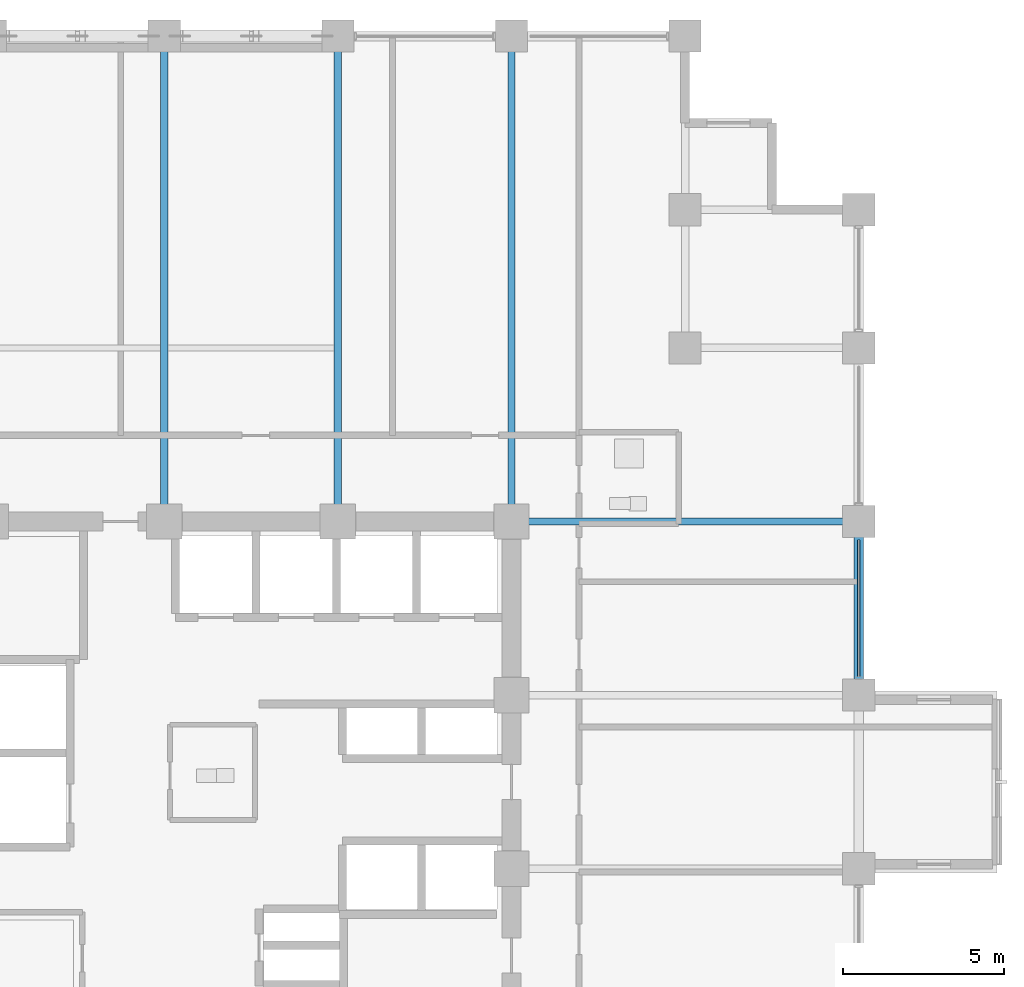
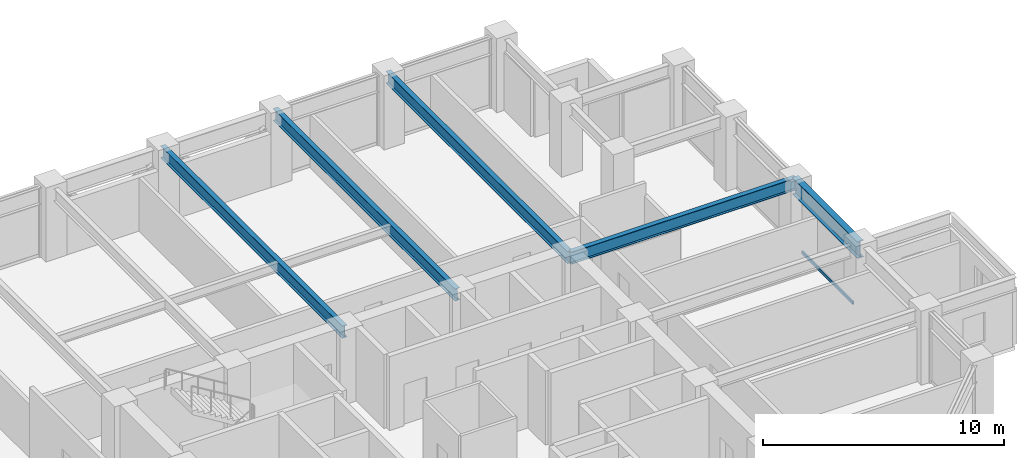
# One storey, part 15 of 26: 5 beams, 1 member, 1 element without a shape of its own.
"""IFC4 building model written with IfcOpenShell, lengths in metres."""

from ifc_helpers import new_model, si_unit, direction, frame, origin, origin_2d, place, context, subcontext, project, spatial, hollow_rectangle, i_section, extrude, material, layer, layer_set, material_profile, profile_set, type_object, element, aggregate, save


model = new_model("IFC4")

# Units and contexts
model_context = context("Model", 3, precision=1e-05, world=origin(), true_north=direction((0.0, 1.0)))
body_context = subcontext(model_context, "Body", "Model", "MODEL_VIEW")
ifc_project = project(units=[si_unit("LENGTHUNIT", "METRE"), si_unit("AREAUNIT", "SQUARE_METRE"), si_unit("VOLUMEUNIT", "CUBIC_METRE"), si_unit("PLANEANGLEUNIT", "RADIAN"), si_unit("MASSUNIT", "GRAM", prefix="KILO")], contexts=[model_context])

# Site, building, storey
site_placement = place(None, origin())
site = spatial("IfcSite", under=ifc_project, at=site_placement, CompositionType="ELEMENT")
building_placement = place(site_placement, origin())
building = spatial("IfcBuilding", under=site, at=building_placement, Name="Surkhivell Harbour Commons", CompositionType="ELEMENT")
storey_placement = place(building_placement, frame((0.0, 0.0, 143.25)))
storey = spatial("IfcBuildingStorey", under=building, at=storey_placement, Name="L37", CompositionType="ELEMENT", Elevation=143.25)

# Beams
ifc_material_1 = material(Name="Steel S355", Category="steel")
ifc_material_profile_1 = material_profile(ifc_material_1, i_section(OverallWidth=0.22998046875, OverallDepth=0.616943359375, WebThickness=0.01318359375, FlangeThickness=0.022216796875, at=origin_2d()), Name="UB610x229x140")
ifc_profile_set_1 = profile_set([ifc_material_profile_1], Name="Steel S355")
beam_type_1 = type_object("IfcBeamType", Name="BM-GRD-610B", PredefinedType="BEAM", material=ifc_profile_set_1)
for number, where, z_axis, x_axis, name in (
    (1, (0.0, 10.800048828125, 3.261474609375), (0.0, 1.0, 0.0), (-1.0, 0.0, 0.0), "L37 Floor Girder (0.0,10.8)"),
    (2, (5.39990234375, 10.800048828125, 3.261474609375), (0.0, 1.0, 0.0), (-1.0, 0.0, 0.0), "L37 Floor Girder (5.4,10.8)"),
    (3, (10.800048828125, 10.800048828125, 3.261474609375), (0.0, 1.0, 0.0), (-1.0, 0.0, 0.0), "L37 Floor Girder (10.8,10.8)"),
):
    element("IfcBeam", number, at=place(storey_placement, frame(where, z_axis=z_axis, x_axis=x_axis)), inside=storey, type_object=beam_type_1, Name=name, PredefinedType="BEAM", context=body_context, shape_type="SweptSolid", body=[
        extrude(i_section(OverallWidth=0.22998046875, OverallDepth=0.616943359375, WebThickness=0.01318359375, FlangeThickness=0.022216796875, at=origin_2d()), origin(), (0.0, 0.0, 1.0), 15.099853515625),
    ])
beam_1_placement = place(storey_placement, frame((10.800048828125, 10.800048828125, 3.261474609375), z_axis=(1.0, 0.0, 0.0), x_axis=(0.0, 1.0, 0.0)))
element("IfcBeam", 4, at=beam_1_placement, inside=storey, type_object=beam_type_1, Name="L37 Floor Girder (10.8,10.8)", PredefinedType="BEAM", context=body_context, shape_type="SweptSolid", body=[
    extrude(i_section(OverallWidth=0.22998046875, OverallDepth=0.616943359375, WebThickness=0.01318359375, FlangeThickness=0.022216796875, at=origin_2d()), origin(), (0.0, 0.0, 1.0), 10.800048828125),
])
ifc_material_2 = material(Name="Steel S460", Category="steel")
ifc_material_profile_2 = material_profile(ifc_material_2, i_section(OverallWidth=0.2939453125, OverallDepth=0.85107421875, WebThickness=0.01611328125, FlangeThickness=0.02685546875, at=origin_2d()), Name="UB838x292x226")
ifc_profile_set_2 = profile_set([ifc_material_profile_2], Name="Steel S460")
beam_type_2 = type_object("IfcBeamType", Name="BM-SPN-838", PredefinedType="SPANDREL", material=ifc_profile_set_2)
beam_2_placement = place(storey_placement, frame((21.60009765625, 5.39990234375, 3.14453125), z_axis=(0.0, 1.0, 0.0), x_axis=(-1.0, 0.0, 0.0)))
element("IfcBeam", 5, at=beam_2_placement, inside=storey, type_object=beam_type_2, Name="L37 Tube Spandrel (21.6,5.4)", PredefinedType="SPANDREL", context=body_context, shape_type="SweptSolid", body=[
    extrude(i_section(OverallWidth=0.2939453125, OverallDepth=0.85107421875, WebThickness=0.01611328125, FlangeThickness=0.02685546875, at=origin_2d()), origin(), (0.0, 0.0, 1.0), 5.400146484375),
])

# Curtain wall, member
ifc_material_3 = material(Name="Anodised pale-metal aluminium and insulated glazing", Category="aluminium")
ifc_layer = layer(ifc_material_3, 0.205078125)
ifc_layer_set = layer_set([ifc_layer], Name="Anodised pale-metal aluminium and insulated glazing")
curtain_wall_type = type_object("IfcCurtainWallType", Name="CW-SYS-Z2", PredefinedType="NOTDEFINED", material=ifc_layer_set)
curtain_wall_placement = place(storey_placement, origin())
curtain_wall = element("IfcCurtainWall", 6, at=curtain_wall_placement, inside=storey, type_object=curtain_wall_type, Name="L37 Curtain Wall CW-L37-E02R2", PredefinedType="NOTDEFINED")
ifc_material_4 = material(Name="Anodised pale-metal aluminium alloy 6063-T6", Category="aluminium")
ifc_material_profile_3 = material_profile(ifc_material_4, hollow_rectangle(XDim=0.074951171875, YDim=0.14990234375, WallThickness=0.00341796875, at=origin_2d()), Name="ALU-TRAN-75x150")
ifc_profile_set_3 = profile_set([ifc_material_profile_3], Name="Anodised pale-metal aluminium alloy 6063-T6")
member_type = type_object("IfcMemberType", Name="CWT-150", PredefinedType="USERDEFINED", material=ifc_profile_set_3)
member_placement = place(storey_placement, frame((21.60009765625, 5.97705078125, 0.074951171875), z_axis=(0.0, 1.0, 0.0), x_axis=(-1.0, 0.0, 0.0)))
member = element("IfcMember", 7, at=member_placement, type_object=member_type, Name="CW-Z2 transom 1.1", ObjectType="TRANSOM", PredefinedType="USERDEFINED", context=body_context, shape_type="SweptSolid", body=[
    extrude(hollow_rectangle(XDim=0.074951171875, YDim=0.14990234375, WallThickness=0.00341796875, at=origin_2d()), origin(), (0.0, 0.0, 1.0), 4.245849609375),
])
aggregate(curtain_wall, [member])

save(model, "model.ifc")
